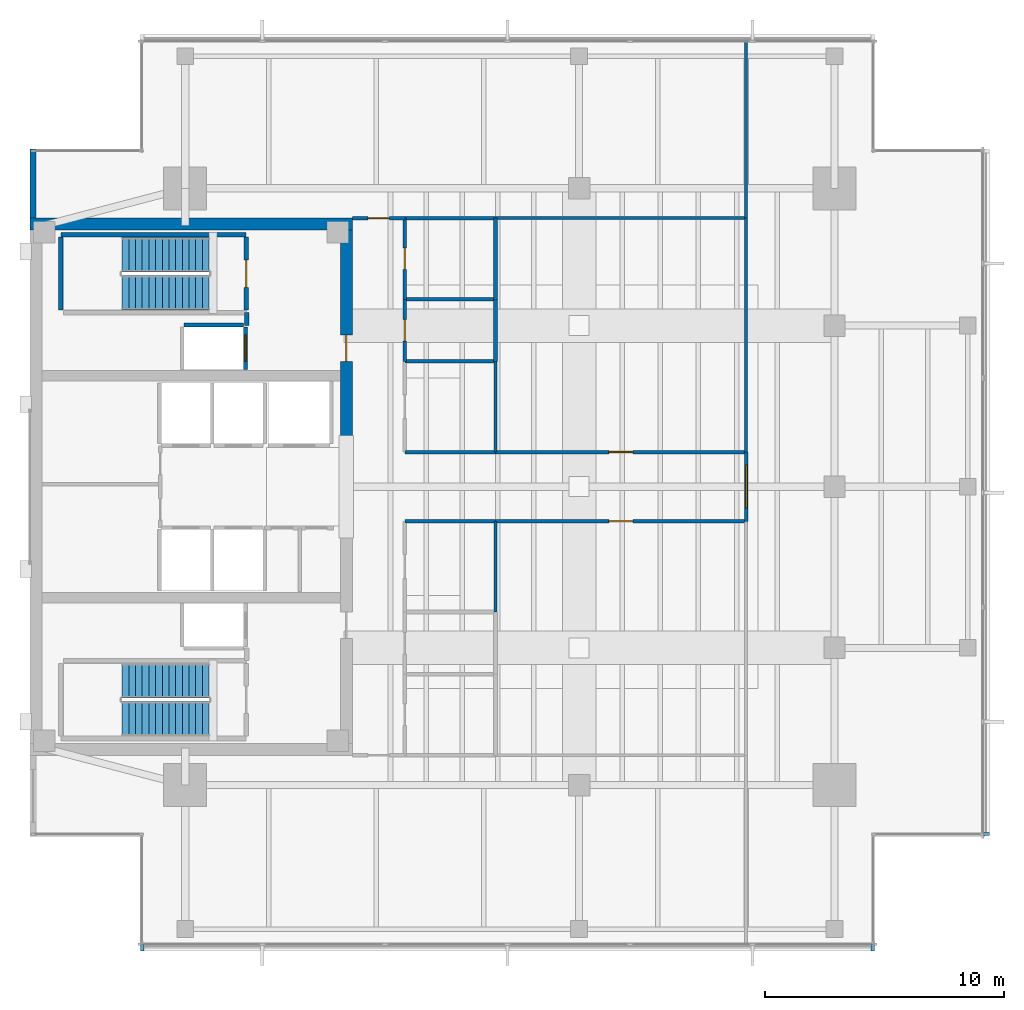
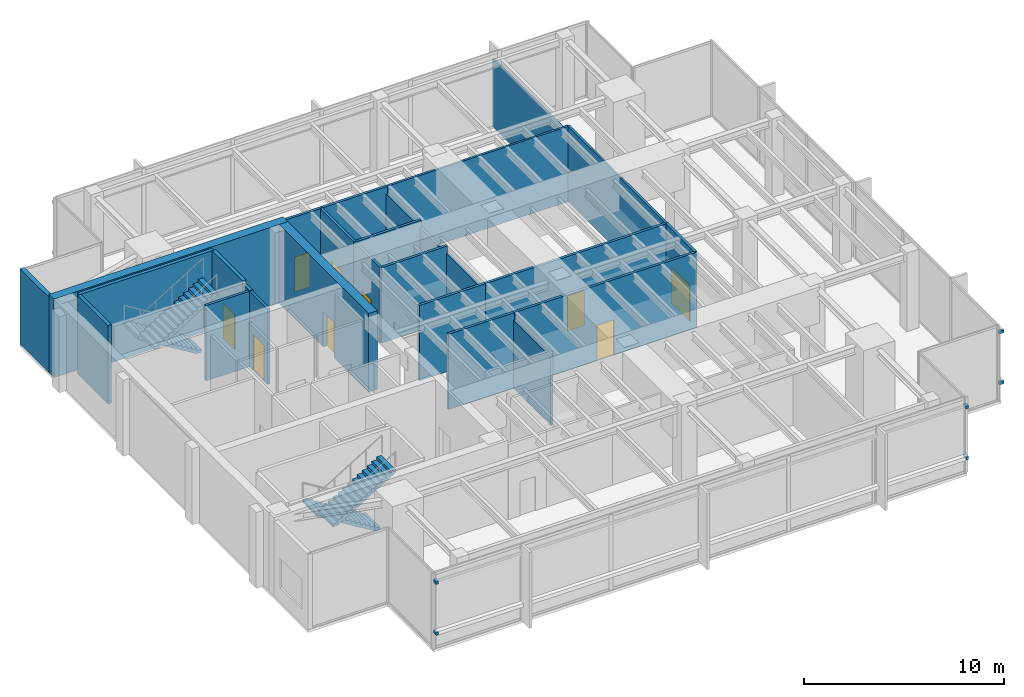
# One storey, part 9 of 14: 27 walls, 9 doors, 6 discrete accessories, 4 stair flights, 9 openings, 2 elements without a shape of their own.
"""IFC4 building model written with IfcOpenShell, lengths in metres."""

from ifc_helpers import new_model, si_unit, direction, frame, frame_2d, origin, origin_2d, place, context, subcontext, project, spatial, polyline, rectangle, outline, extrude, material, layer, layer_set, type_object, element, fill, aggregate, save


model = new_model("IFC4")

# Units and contexts
model_context = context("Model", 3, precision=1e-05, world=origin(), true_north=direction((0.0, 1.0)))
body_context = subcontext(model_context, "Body", "Model", "MODEL_VIEW")
ifc_project = project(units=[si_unit("LENGTHUNIT", "METRE"), si_unit("AREAUNIT", "SQUARE_METRE"), si_unit("VOLUMEUNIT", "CUBIC_METRE"), si_unit("PLANEANGLEUNIT", "RADIAN"), si_unit("MASSUNIT", "GRAM", prefix="KILO")], contexts=[model_context])

# Site, building, storey
site_placement = place(None, origin())
site = spatial("IfcSite", under=ifc_project, at=site_placement, CompositionType="ELEMENT")
building_placement = place(site_placement, origin())
building = spatial("IfcBuilding", under=site, at=building_placement, Name="Kinhvarn Gate Tower", CompositionType="ELEMENT")
storey_placement = place(building_placement, frame((0.0, 0.0, 291.85009765625)))
storey = spatial("IfcBuildingStorey", under=building, at=storey_placement, Name="L78", CompositionType="ELEMENT", Elevation=291.85009765625)

# Wall
ifc_material_1 = material(Name="Concrete C50/60", Category="concrete")
ifc_layer_1 = layer(ifc_material_1, 0.5)
ifc_layer_set_1 = layer_set([ifc_layer_1], Name="Concrete C50/60")
wall_type_1 = type_object("IfcWallType", Name="WL-CORE-500", PredefinedType="SHEAR", material=ifc_layer_set_1)
wall_1_placement = place(storey_placement, frame((4.5, 36.25, 0.0), z_axis=(0.0, 0.0, 1.0), x_axis=(1.0, 0.0, 0.0)))
element("IfcWall", 1, at=wall_1_placement, inside=storey, type_object=wall_type_1, Name="Core North Shear Wall L78 500 mm", PredefinedType="SHEAR", context=body_context, shape_type="SweptSolid", body=[
    extrude(rectangle(XDim=13.5, YDim=0.5, at=frame_2d((6.75, 0.0))), origin(), (0.0, 0.0, 1.0), 4.7998046875),
])

# Wall, opening, door
wall_2_placement = place(storey_placement, frame((17.75, 27.050048828125, 0.0), z_axis=(0.0, 0.0, 1.0), x_axis=(0.0, 1.0, 0.0)))
wall_2 = element("IfcWall", 2, at=wall_2_placement, inside=storey, type_object=wall_type_1, Name="Core East-North Shear Pier L78 500 mm", PredefinedType="SHEAR", context=body_context, shape_type="SweptSolid", body=[
    extrude(rectangle(XDim=8.949951171875, YDim=0.5, at=frame_2d((4.47509765625, 0.0))), origin(), (0.0, 0.0, 1.0), 4.7998046875),
])
opening_1_placement = place(wall_2_placement, frame((3.449951171875, 0.0, 0.0)))
opening_1 = element("IfcOpeningElement", 3, at=opening_1_placement, cuts=wall_2, Name="Opening FD-02", PredefinedType="OPENING", context=body_context, shape_type="SweptSolid", body=[
    extrude(rectangle(XDim=1.10009765625, YDim=2.14990234375, at=frame_2d((0.550048828125, 1.074951171875))), frame((0.0, 0.260009765625, 0.0), z_axis=(0.0, -1.0, 0.0), x_axis=(1.0, 0.0, 0.0)), (0.0, 0.0, 1.0), 0.52001953125),
])
ifc_material_2 = material(Name="Anodised aluminium AW-6063", Category="aluminium")
door_type_1 = type_object("IfcDoorType", Name="DR-FD-1100", OperationType="NOTDEFINED", PredefinedType="DOOR", material=ifc_material_2)
door_1_placement = place(opening_1_placement, origin())
door_1 = element("IfcDoor", 4, at=door_1_placement, inside=storey, type_object=door_type_1, Name="Firefighting Lobby Core Door (L78)", OperationType="SINGLE_SWING_LEFT", OverallHeight=2.14990234375, OverallWidth=1.10009765625, PredefinedType="DOOR", context=body_context, shape_type="SweptSolid", body=[
    extrude(rectangle(XDim=1.10009765625, YDim=2.14990234375, at=frame_2d((0.550048828125, 1.074951171875))), frame((0.0, 0.02490234375, 0.0), z_axis=(0.0, -1.0, 0.0), x_axis=(1.0, 0.0, 0.0)), (0.0, 0.0, 1.0), 0.050048828125),
])
fill(opening_1, door_1)

# Walls
ifc_material_3 = material(Name="Fired architectural terracotta", Category="masonry")
ifc_layer_2 = layer(ifc_material_3, 0.25)
ifc_layer_set_2 = layer_set([ifc_layer_2], Name="Fired architectural terracotta")
wall_type_2 = type_object("IfcWallType", Name="WL-EXT-250", PredefinedType="SOLIDWALL", material=ifc_layer_set_2)
wall_3_placement = place(storey_placement, frame((4.625, 39.39990234375, 0.0), z_axis=(0.0, 0.0, 1.0), x_axis=(0.0, -1.0, 0.0)))
element("IfcWall", 5, at=wall_3_placement, inside=storey, type_object=wall_type_2, Name="Exterior Solidwall Wall EW-250 (L78 West-North)", PredefinedType="SOLIDWALL", context=body_context, shape_type="SweptSolid", body=[
    extrude(rectangle(XDim=2.89990234375, YDim=0.25, at=frame_2d((1.449951171875, 0.0))), origin(), (0.0, 0.0, 1.0), 4.599853515625),
])
ifc_material_4 = material(Name="Gypsum acoustic partition board")
ifc_layer_3 = layer(ifc_material_4, 0.14990234375)
ifc_layer_set_3 = layer_set([ifc_layer_3], Name="Gypsum acoustic partition board")
wall_type_3 = type_object("IfcWallType", Name="WL-PLM-150", PredefinedType="PLUMBINGWALL", material=ifc_layer_set_3)
for number, where, z_axis, x_axis, name in (
    (6, (20.199951171875, 33.10009765625, 0.0), (0.0, 0.0, 1.0), (1.0, 0.0, 0.0), "Interior Partition PLW-150 (L78)"),
    (7, (20.199951171875, 36.5, 0.0), (0.0, 0.0, 1.0), (1.0, 0.0, 0.0), "Interior Partition PLW-150 (L78)"),
):
    element("IfcWall", number, at=place(storey_placement, frame(where, z_axis=z_axis, x_axis=x_axis)), inside=storey, type_object=wall_type_3, Name=name, PredefinedType="PLUMBINGWALL", context=body_context, shape_type="SweptSolid", body=[
        extrude(rectangle(XDim=3.800048828125, YDim=0.14990234375, at=frame_2d((1.89990234375, 0.0))), origin(), (0.0, 0.0, 1.0), 4.599853515625),
    ])
wall_4_placement = place(storey_placement, frame((24.0, 33.10009765625, 0.0), z_axis=(0.0, 0.0, 1.0), x_axis=(0.0, 1.0, 0.0)))
element("IfcWall", 8, at=wall_4_placement, inside=storey, type_object=wall_type_3, Name="Interior Partition PLW-150 (L78)", PredefinedType="PLUMBINGWALL", context=body_context, shape_type="SweptSolid", body=[
    extrude(rectangle(XDim=3.39990234375, YDim=0.14990234375, at=frame_2d((1.699951171875, 0.0))), origin(), (0.0, 0.0, 1.0), 4.14990234375),
])
wall_5_placement = place(storey_placement, frame((24.0, 30.5, 0.0), z_axis=(0.0, 0.0, 1.0), x_axis=(0.0, 1.0, 0.0)))
element("IfcWall", 9, at=wall_5_placement, inside=storey, type_object=wall_type_3, Name="Interior Partition PLW-150 (L78)", PredefinedType="PLUMBINGWALL", context=body_context, shape_type="SweptSolid", body=[
    extrude(rectangle(XDim=2.60009765625, YDim=0.14990234375, at=frame_2d((1.300048828125, 0.0))), origin(), (0.0, 0.0, 1.0), 4.14990234375),
])
wall_6_placement = place(storey_placement, frame((20.199951171875, 30.5, 0.0), z_axis=(0.0, 0.0, 1.0), x_axis=(1.0, 0.0, 0.0)))
element("IfcWall", 10, at=wall_6_placement, inside=storey, type_object=wall_type_3, Name="Interior Partition PLW-150 (L78)", PredefinedType="PLUMBINGWALL", context=body_context, shape_type="SweptSolid", body=[
    extrude(rectangle(XDim=3.800048828125, YDim=0.14990234375, at=frame_2d((1.89990234375, 0.0))), origin(), (0.0, 0.0, 1.0), 4.599853515625),
])

# Wall, opening, door
ifc_layer_4 = layer(ifc_material_4, 0.14990234375)
ifc_layer_set_4 = layer_set([ifc_layer_4], Name="Gypsum acoustic partition board")
wall_type_4 = type_object("IfcWallType", Name="WL-PLM-150F", PredefinedType="PLUMBINGWALL", material=ifc_layer_set_4)
wall_7_placement = place(storey_placement, frame((20.199951171875, 33.10009765625, 0.0), z_axis=(0.0, 0.0, 1.0), x_axis=(0.0, 1.0, 0.0)))
wall_7 = element("IfcWall", 11, at=wall_7_placement, inside=storey, type_object=wall_type_4, Name="Interior Partition PLW-150F (L78)", PredefinedType="PLUMBINGWALL", context=body_context, shape_type="SweptSolid", body=[
    extrude(rectangle(XDim=3.39990234375, YDim=0.14990234375, at=frame_2d((1.699951171875, 0.0))), origin(), (0.0, 0.0, 1.0), 4.599853515625),
])
opening_2_placement = place(wall_7_placement, frame((1.25, 0.0, 0.0)))
opening_2 = element("IfcOpeningElement", 12, at=opening_2_placement, cuts=wall_7, Name="Opening FD-04", PredefinedType="OPENING", context=body_context, shape_type="SweptSolid", body=[
    extrude(rectangle(XDim=0.89990234375, YDim=2.10009765625, at=frame_2d((0.449951171875, 1.050048828125))), frame((0.0, 0.0849609375, 0.0), z_axis=(0.0, -1.0, 0.0), x_axis=(1.0, 0.0, 0.0)), (0.0, 0.0, 1.0), 0.169921875),
])
door_type_2 = type_object("IfcDoorType", Name="DR-FD-900", OperationType="NOTDEFINED", PredefinedType="DOOR", material=ifc_material_2)
door_2_placement = place(opening_2_placement, origin())
door_2 = element("IfcDoor", 13, at=door_2_placement, inside=storey, type_object=door_type_2, Name="Rated Riser & Service Closet Fire Door 900x2100 mm (L78)", OperationType="SINGLE_SWING_RIGHT", OverallHeight=2.10009765625, OverallWidth=0.89990234375, PredefinedType="DOOR", context=body_context, shape_type="SweptSolid", body=[
    extrude(rectangle(XDim=0.89990234375, YDim=2.10009765625, at=frame_2d((0.449951171875, 1.050048828125))), frame((0.0, 0.02490234375, 0.0), z_axis=(0.0, -1.0, 0.0), x_axis=(1.0, 0.0, 0.0)), (0.0, 0.0, 1.0), 0.050048828125),
])
fill(opening_2, door_2)

wall_8_placement = place(storey_placement, frame((20.199951171875, 30.5, 0.0), z_axis=(0.0, 0.0, 1.0), x_axis=(0.0, 1.0, 0.0)))
wall_8 = element("IfcWall", 14, at=wall_8_placement, inside=storey, type_object=wall_type_4, Name="Interior Partition PLW-150F (L78)", PredefinedType="PLUMBINGWALL", context=body_context, shape_type="SweptSolid", body=[
    extrude(rectangle(XDim=2.60009765625, YDim=0.14990234375, at=frame_2d((1.300048828125, 0.0))), origin(), (0.0, 0.0, 1.0), 4.599853515625),
])
opening_3_placement = place(wall_8_placement, frame((0.85009765625, 0.0, 0.0)))
opening_3 = element("IfcOpeningElement", 15, at=opening_3_placement, cuts=wall_8, Name="Opening FD-04", PredefinedType="OPENING", context=body_context, shape_type="SweptSolid", body=[
    extrude(rectangle(XDim=0.89990234375, YDim=2.10009765625, at=frame_2d((0.449951171875, 1.050048828125))), frame((0.0, 0.0849609375, 0.0), z_axis=(0.0, -1.0, 0.0), x_axis=(1.0, 0.0, 0.0)), (0.0, 0.0, 1.0), 0.169921875),
])
door_3_placement = place(opening_3_placement, origin())
door_3 = element("IfcDoor", 16, at=door_3_placement, inside=storey, type_object=door_type_2, Name="Rated Riser & Service Closet Fire Door 900x2100 mm (L78)", OperationType="SINGLE_SWING_RIGHT", OverallHeight=2.10009765625, OverallWidth=0.89990234375, PredefinedType="DOOR", context=body_context, shape_type="SweptSolid", body=[
    extrude(rectangle(XDim=0.89990234375, YDim=2.10009765625, at=frame_2d((0.449951171875, 1.050048828125))), frame((0.0, 0.02490234375, 0.0), z_axis=(0.0, -1.0, 0.0), x_axis=(1.0, 0.0, 0.0)), (0.0, 0.0, 1.0), 0.050048828125),
])
fill(opening_3, door_3)

# Walls
ifc_layer_5 = layer(ifc_material_4, 0.1201171875)
ifc_layer_set_5 = layer_set([ifc_layer_5], Name="Gypsum acoustic partition board")
wall_type_5 = type_object("IfcWallType", Name="WL-PRT-120", PredefinedType="PARTITIONING", material=ifc_layer_set_5)
wall_9_placement = place(storey_placement, frame((24.0, 36.5, 0.0), z_axis=(0.0, 0.0, 1.0), x_axis=(1.0, 0.0, 0.0)))
element("IfcWall", 17, at=wall_9_placement, inside=storey, type_object=wall_type_5, Name="Interior Partition PW-120 (L78)", PredefinedType="PARTITIONING", context=body_context, shape_type="SweptSolid", body=[
    extrude(rectangle(XDim=10.5, YDim=0.1201171875, at=frame_2d((5.25, 0.0))), origin(), (0.0, 0.0, 1.0), 4.599853515625),
])
wall_10_placement = place(storey_placement, frame((34.5, 36.5, 0.0), z_axis=(0.0, 0.0, 1.0), x_axis=(0.0, 1.0, 0.0)))
element("IfcWall", 18, at=wall_10_placement, inside=storey, type_object=wall_type_5, Name="Interior Partition PW-120 (L78)", PredefinedType="PARTITIONING", context=body_context, shape_type="SweptSolid", body=[
    extrude(rectangle(XDim=7.489990234375, YDim=0.1201171875, at=frame_2d((3.7451171875, 0.0))), origin(), (0.0, 0.0, 1.0), 4.14990234375),
])
wall_11_placement = place(storey_placement, frame((24.0, 20.0, 0.0), z_axis=(0.0, 0.0, 1.0), x_axis=(0.0, 1.0, 0.0)))
element("IfcWall", 19, at=wall_11_placement, inside=storey, type_object=wall_type_5, Name="Interior Partition PW-120 (L78)", PredefinedType="PARTITIONING", context=body_context, shape_type="SweptSolid", body=[
    extrude(rectangle(XDim=3.800048828125, YDim=0.1201171875, at=frame_2d((1.89990234375, 0.0))), origin(), (0.0, 0.0, 1.0), 4.14990234375),
])
wall_12_placement = place(storey_placement, frame((34.5, 26.699951171875, 0.0), z_axis=(0.0, 0.0, 1.0), x_axis=(0.0, 1.0, 0.0)))
element("IfcWall", 20, at=wall_12_placement, inside=storey, type_object=wall_type_5, Name="Interior Partition PW-120 (L78)", PredefinedType="PARTITIONING", context=body_context, shape_type="SweptSolid", body=[
    extrude(rectangle(XDim=9.800048828125, YDim=0.1201171875, at=frame_2d((4.89990234375, 0.0))), origin(), (0.0, 0.0, 1.0), 4.599853515625),
])
wall_13_placement = place(storey_placement, frame((24.0, 26.699951171875, 0.0), z_axis=(0.0, 0.0, 1.0), x_axis=(0.0, 1.0, 0.0)))
element("IfcWall", 21, at=wall_13_placement, inside=storey, type_object=wall_type_5, Name="Interior Partition PW-120 (L78)", PredefinedType="PARTITIONING", context=body_context, shape_type="SweptSolid", body=[
    extrude(rectangle(XDim=3.800048828125, YDim=0.1201171875, at=frame_2d((1.89990234375, 0.0))), origin(), (0.0, 0.0, 1.0), 4.14990234375),
])

# Wall, opening, door
ifc_layer_6 = layer(ifc_material_4, 0.14990234375)
ifc_layer_set_6 = layer_set([ifc_layer_6], Name="Gypsum acoustic partition board")
wall_type_6 = type_object("IfcWallType", Name="WL-PRT-150F", PredefinedType="PARTITIONING", material=ifc_layer_set_6)
wall_14_placement = place(storey_placement, frame((18.0, 36.5, 0.0), z_axis=(0.0, 0.0, 1.0), x_axis=(1.0, 0.0, 0.0)))
wall_14 = element("IfcWall", 22, at=wall_14_placement, inside=storey, type_object=wall_type_6, Name="Interior Partition PW-150F (L78)", PredefinedType="PARTITIONING", context=body_context, shape_type="SweptSolid", body=[
    extrude(rectangle(XDim=2.199951171875, YDim=0.14990234375, at=frame_2d((1.10009765625, 0.0))), origin(), (0.0, 0.0, 1.0), 4.599853515625),
])
opening_4_placement = place(wall_14_placement, frame((0.64990234375, 0.0, 0.0)))
opening_4 = element("IfcOpeningElement", 23, at=opening_4_placement, cuts=wall_14, Name="Opening ID-03", PredefinedType="OPENING", context=body_context, shape_type="SweptSolid", body=[
    extrude(rectangle(XDim=0.89990234375, YDim=2.10009765625, at=frame_2d((0.449951171875, 1.050048828125))), frame((0.0, 0.0849609375, 0.0), z_axis=(0.0, -1.0, 0.0), x_axis=(1.0, 0.0, 0.0)), (0.0, 0.0, 1.0), 0.169921875),
])
door_type_3 = type_object("IfcDoorType", Name="DR-INT-900", OperationType="NOTDEFINED", PredefinedType="DOOR", material=ifc_material_2)
door_4_placement = place(opening_4_placement, origin())
door_4 = element("IfcDoor", 24, at=door_4_placement, inside=storey, type_object=door_type_3, Name="Cellular Office & Restroom Door 900x2100 mm (L78)", OperationType="SINGLE_SWING_RIGHT", OverallHeight=2.10009765625, OverallWidth=0.89990234375, PredefinedType="DOOR", context=body_context, shape_type="SweptSolid", body=[
    extrude(rectangle(XDim=0.89990234375, YDim=2.10009765625, at=frame_2d((0.449951171875, 1.050048828125))), frame((0.0, 0.02490234375, 0.0), z_axis=(0.0, -1.0, 0.0), x_axis=(1.0, 0.0, 0.0)), (0.0, 0.0, 1.0), 0.050048828125),
])
fill(opening_4, door_4)

wall_15_placement = place(storey_placement, frame((24.0, 23.800048828125, 0.0), z_axis=(0.0, 0.0, 1.0), x_axis=(1.0, 0.0, 0.0)))
wall_15 = element("IfcWall", 25, at=wall_15_placement, inside=storey, type_object=wall_type_6, Name="Interior Partition PW-150F (L78)", PredefinedType="PARTITIONING", context=body_context, shape_type="SweptSolid", body=[
    extrude(rectangle(XDim=10.5, YDim=0.14990234375, at=frame_2d((5.25, 0.0))), origin(), (0.0, 0.0, 1.0), 4.599853515625),
])
opening_5_placement = place(wall_15_placement, frame((4.75, 0.0, 0.0)))
opening_5 = element("IfcOpeningElement", 26, at=opening_5_placement, cuts=wall_15, Name="Opening ID-02", PredefinedType="OPENING", context=body_context, shape_type="SweptSolid", body=[
    extrude(rectangle(XDim=1.0, YDim=2.14990234375, at=frame_2d((0.5, 1.074951171875))), frame((0.0, 0.0849609375, 0.0), z_axis=(0.0, -1.0, 0.0), x_axis=(1.0, 0.0, 0.0)), (0.0, 0.0, 1.0), 0.169921875),
])
door_type_4 = type_object("IfcDoorType", Name="DR-INT-1000", OperationType="NOTDEFINED", PredefinedType="DOOR", material=ifc_material_2)
door_5_placement = place(opening_5_placement, origin())
door_5 = element("IfcDoor", 27, at=door_5_placement, inside=storey, type_object=door_type_4, Name="Standard Office & Meeting Room Door 1000x2150 mm (L78)", OperationType="SINGLE_SWING_LEFT", OverallHeight=2.14990234375, OverallWidth=1.0, PredefinedType="DOOR", context=body_context, shape_type="SweptSolid", body=[
    extrude(rectangle(XDim=1.0, YDim=2.14990234375, at=frame_2d((0.5, 1.074951171875))), frame((0.0, 0.02490234375, 0.0), z_axis=(0.0, -1.0, 0.0), x_axis=(1.0, 0.0, 0.0)), (0.0, 0.0, 1.0), 0.050048828125),
])
fill(opening_5, door_5)

wall_16_placement = place(storey_placement, frame((24.0, 26.699951171875, 0.0), z_axis=(0.0, 0.0, 1.0), x_axis=(1.0, 0.0, 0.0)))
wall_16 = element("IfcWall", 28, at=wall_16_placement, inside=storey, type_object=wall_type_6, Name="Interior Partition PW-150F (L78)", PredefinedType="PARTITIONING", context=body_context, shape_type="SweptSolid", body=[
    extrude(rectangle(XDim=10.5, YDim=0.14990234375, at=frame_2d((5.25, 0.0))), origin(), (0.0, 0.0, 1.0), 4.599853515625),
])
opening_6_placement = place(wall_16_placement, frame((4.75, 0.0, 0.0)))
opening_6 = element("IfcOpeningElement", 29, at=opening_6_placement, cuts=wall_16, Name="Opening ID-02", PredefinedType="OPENING", context=body_context, shape_type="SweptSolid", body=[
    extrude(rectangle(XDim=1.0, YDim=2.14990234375, at=frame_2d((0.5, 1.074951171875))), frame((0.0, 0.0849609375, 0.0), z_axis=(0.0, -1.0, 0.0), x_axis=(1.0, 0.0, 0.0)), (0.0, 0.0, 1.0), 0.169921875),
])
door_6_placement = place(opening_6_placement, origin())
door_6 = element("IfcDoor", 30, at=door_6_placement, inside=storey, type_object=door_type_4, Name="Standard Office & Meeting Room Door 1000x2150 mm (L78)", OperationType="SINGLE_SWING_RIGHT", OverallHeight=2.14990234375, OverallWidth=1.0, PredefinedType="DOOR", context=body_context, shape_type="SweptSolid", body=[
    extrude(rectangle(XDim=1.0, YDim=2.14990234375, at=frame_2d((0.5, 1.074951171875))), frame((0.0, 0.02490234375, 0.0), z_axis=(0.0, -1.0, 0.0), x_axis=(1.0, 0.0, 0.0)), (0.0, 0.0, 1.0), 0.050048828125),
])
fill(opening_6, door_6)

wall_17_placement = place(storey_placement, frame((34.5, 23.800048828125, 0.0), z_axis=(0.0, 0.0, 1.0), x_axis=(0.0, 1.0, 0.0)))
wall_17 = element("IfcWall", 31, at=wall_17_placement, inside=storey, type_object=wall_type_6, Name="Interior Partition PW-150F (L78)", PredefinedType="PARTITIONING", context=body_context, shape_type="SweptSolid", body=[
    extrude(rectangle(XDim=2.89990234375, YDim=0.14990234375, at=frame_2d((1.449951171875, 0.0))), origin(), (0.0, 0.0, 1.0), 4.599853515625),
])
opening_7_placement = place(wall_17_placement, frame((0.550048828125, 0.0, 0.0)))
opening_7 = element("IfcOpeningElement", 32, at=opening_7_placement, cuts=wall_17, Name="Opening ID-04", PredefinedType="OPENING", context=body_context, shape_type="SweptSolid", body=[
    extrude(rectangle(XDim=1.800048828125, YDim=2.199951171875, at=frame_2d((0.89990234375, 1.10009765625))), frame((0.0, 0.0849609375, 0.0), z_axis=(0.0, -1.0, 0.0), x_axis=(1.0, 0.0, 0.0)), (0.0, 0.0, 1.0), 0.169921875),
])
ifc_material_5 = material(Name="Clear low-e double glazing", Category="glass")
door_type_5 = type_object("IfcDoorType", Name="DR-GLZ-1800", OperationType="NOTDEFINED", PredefinedType="DOOR", material=ifc_material_5)
door_7_placement = place(opening_7_placement, origin())
door_7 = element("IfcDoor", 33, at=door_7_placement, inside=storey, type_object=door_type_5, Name="Double Glazed Forum & Sky-Lobby Door 1800x2200 mm (L78)", OperationType="DOUBLE_DOOR_SINGLE_SWING", OverallHeight=2.199951171875, OverallWidth=1.800048828125, PredefinedType="DOOR", context=body_context, shape_type="SweptSolid", body=[
    extrude(rectangle(XDim=1.800048828125, YDim=2.199951171875, at=frame_2d((0.89990234375, 1.10009765625))), frame((0.0, 0.02490234375, 0.0), z_axis=(0.0, -1.0, 0.0), x_axis=(1.0, 0.0, 0.0)), (0.0, 0.0, 1.0), 0.050048828125),
])
fill(opening_7, door_7)

# Walls
for number, where, z_axis, x_axis, name in (
    (34, (20.199951171875, 23.800048828125, 0.0), (0.0, 0.0, 1.0), (1.0, 0.0, 0.0), "Interior Partition PW-150F (L78)"),
    (35, (20.199951171875, 26.699951171875, 0.0), (0.0, 0.0, 1.0), (1.0, 0.0, 0.0), "Interior Partition PW-150F (L78)"),
):
    element("IfcWall", number, at=place(storey_placement, frame(where, z_axis=z_axis, x_axis=x_axis)), inside=storey, type_object=wall_type_6, Name=name, PredefinedType="PARTITIONING", context=body_context, shape_type="SweptSolid", body=[
        extrude(rectangle(XDim=3.800048828125, YDim=0.14990234375, at=frame_2d((1.89990234375, 0.0))), origin(), (0.0, 0.0, 1.0), 4.599853515625),
    ])
ifc_layer_7 = layer(ifc_material_4, 0.199951171875)
ifc_layer_set_7 = layer_set([ifc_layer_7], Name="Gypsum acoustic partition board")
wall_type_7 = type_object("IfcWallType", Name="WL-PRT-200", PredefinedType="PARTITIONING", material=ifc_layer_set_7)
wall_18_placement = place(storey_placement, frame((13.580078125, 32.0, 0.0), z_axis=(0.0, 0.0, 1.0), x_axis=(0.0, 1.0, 0.0)))
element("IfcWall", 36, at=wall_18_placement, inside=storey, type_object=wall_type_7, Name="Interior Partition PW-200 (L78)", PredefinedType="PARTITIONING", context=body_context, shape_type="SweptSolid", body=[
    extrude(rectangle(XDim=0.5400390625, YDim=0.199951171875, at=frame_2d((0.27001953125, 0.0))), origin(), (0.0, 0.0, 1.0), 4.599853515625),
])
ifc_layer_8 = layer(ifc_material_4, 0.14990234375)
ifc_layer_set_8 = layer_set([ifc_layer_8], Name="Gypsum acoustic partition board")
wall_type_8 = type_object("IfcWallType", Name="WL-SHF-150", PredefinedType="PARTITIONING", material=ifc_layer_set_8)
wall_19_placement = place(storey_placement, frame((10.949951171875, 32.02490234375, 0.0), z_axis=(0.0, 0.0, 1.0), x_axis=(1.0, 0.0, 0.0)))
element("IfcWall", 37, at=wall_19_placement, inside=storey, type_object=wall_type_8, Name="Elevator FF2 Hoistway Wall N (L78)", PredefinedType="PARTITIONING", context=body_context, shape_type="SweptSolid", body=[
    extrude(rectangle(XDim=2.5, YDim=0.14990234375, at=frame_2d((1.25, 0.0))), origin(), (0.0, 0.0, 1.0), 4.599853515625),
])

# Wall, opening, door
wall_20_placement = place(storey_placement, frame((13.52490234375, 30.14990234375, 0.0), z_axis=(0.0, 0.0, 1.0), x_axis=(0.0, 1.0, 0.0)))
wall_20 = element("IfcWall", 38, at=wall_20_placement, inside=storey, type_object=wall_type_8, Name="Elevator FF2 Landing Wall (L78)", PredefinedType="PARTITIONING", context=body_context, shape_type="SweptSolid", body=[
    extrude(rectangle(XDim=1.800048828125, YDim=0.14990234375, at=frame_2d((0.89990234375, 0.0))), origin(), (0.0, 0.0, 1.0), 4.599853515625),
])
opening_8_placement = place(wall_20_placement, frame((0.35009765625, 0.0, 0.0)))
opening_8 = element("IfcOpeningElement", 39, at=opening_8_placement, cuts=wall_20, Name="Opening LD-03", PredefinedType="OPENING", context=body_context, shape_type="SweptSolid", body=[
    extrude(rectangle(XDim=1.10009765625, YDim=2.199951171875, at=frame_2d((0.550048828125, 1.10009765625))), frame((0.0, 0.0849609375, 0.0), z_axis=(0.0, -1.0, 0.0), x_axis=(1.0, 0.0, 0.0)), (0.0, 0.0, 1.0), 0.169921875),
])
door_type_6 = type_object("IfcDoorType", Name="DR-LND-FF", OperationType="NOTDEFINED", PredefinedType="DOOR", material=ifc_material_2)
door_8_placement = place(opening_8_placement, origin())
door_8 = element("IfcDoor", 40, at=door_8_placement, inside=storey, type_object=door_type_6, Name="Elevator FF2 Sliding Landing Door (L78)", OperationType="DOUBLE_DOOR_SLIDING", OverallHeight=2.199951171875, OverallWidth=1.10009765625, PredefinedType="DOOR", context=body_context, shape_type="SweptSolid", body=[
    extrude(rectangle(XDim=1.10009765625, YDim=2.199951171875, at=frame_2d((0.550048828125, 1.10009765625))), frame((0.0, 0.02490234375, 0.0), z_axis=(0.0, -1.0, 0.0), x_axis=(1.0, 0.0, 0.0)), (0.0, 0.0, 1.0), 0.050048828125),
])
fill(opening_8, door_8)

# Walls
ifc_material_6 = material(Name="Concrete C40/50", Category="concrete")
ifc_layer_9 = layer(ifc_material_6, 0.199951171875)
ifc_layer_set_9 = layer_set([ifc_layer_9], Name="Concrete C40/50")
wall_type_9 = type_object("IfcWallType", Name="WL-SHF-200", PredefinedType="SOLIDWALL", material=ifc_layer_set_9)
wall_21_placement = place(storey_placement, frame((5.800048828125, 35.800048828125, 0.0), z_axis=(0.0, 0.0, 1.0), x_axis=(1.0, 0.0, 0.0)))
element("IfcWall", 41, at=wall_21_placement, inside=storey, type_object=wall_type_9, Name="Stair ST2 North Shaft Wall (L78)", PredefinedType="SOLIDWALL", context=body_context, shape_type="SweptSolid", body=[
    extrude(rectangle(XDim=7.75, YDim=0.199951171875, at=frame_2d((3.875, 0.0))), origin(), (0.0, 0.0, 1.0), 4.7998046875),
])
wall_22_placement = place(storey_placement, frame((5.7900390625, 32.64990234375, 0.0), z_axis=(0.0, 0.0, 1.0), x_axis=(0.0, 1.0, 0.0)))
element("IfcWall", 42, at=wall_22_placement, inside=storey, type_object=wall_type_9, Name="Stair ST2 West Shaft Wall (L78)", PredefinedType="SOLIDWALL", context=body_context, shape_type="SweptSolid", body=[
    extrude(rectangle(XDim=3.050048828125, YDim=0.199951171875, at=frame_2d((1.52490234375, 0.0))), origin(), (0.0, 0.0, 1.0), 4.7998046875),
])

# Wall, opening, door
wall_23_placement = place(storey_placement, frame((13.56005859375, 32.64990234375, 0.0), z_axis=(0.0, 0.0, 1.0), x_axis=(0.0, 1.0, 0.0)))
wall_23 = element("IfcWall", 43, at=wall_23_placement, inside=storey, type_object=wall_type_9, Name="Stair ST2 East Entry Wall (L78)", PredefinedType="SOLIDWALL", context=body_context, shape_type="SweptSolid", body=[
    extrude(rectangle(XDim=3.050048828125, YDim=0.199951171875, at=frame_2d((1.52490234375, 0.0))), origin(), (0.0, 0.0, 1.0), 4.7998046875),
])
opening_9_placement = place(wall_23_placement, frame((0.949951171875, 0.0, 0.0)))
opening_9 = element("IfcOpeningElement", 44, at=opening_9_placement, cuts=wall_23, Name="Opening FD-01", PredefinedType="OPENING", context=body_context, shape_type="SweptSolid", body=[
    extrude(rectangle(XDim=1.14990234375, YDim=2.14990234375, at=frame_2d((0.574951171875, 1.074951171875))), frame((0.0, 0.10986328125, 0.0), z_axis=(0.0, -1.0, 0.0), x_axis=(1.0, 0.0, 0.0)), (0.0, 0.0, 1.0), 0.219970703125),
])
door_type_7 = type_object("IfcDoorType", Name="DR-ST-1150", OperationType="NOTDEFINED", PredefinedType="DOOR", material=ifc_material_2)
door_9_placement = place(opening_9_placement, origin())
door_9 = element("IfcDoor", 45, at=door_9_placement, inside=storey, type_object=door_type_7, Name="Exit Stair ST2 Fire Door (L78)", OperationType="SINGLE_SWING_LEFT", OverallHeight=2.14990234375, OverallWidth=1.14990234375, PredefinedType="DOOR", context=body_context, shape_type="SweptSolid", body=[
    extrude(rectangle(XDim=1.14990234375, YDim=2.14990234375, at=frame_2d((0.574951171875, 1.074951171875))), frame((0.0, 0.02490234375, 0.0), z_axis=(0.0, -1.0, 0.0), x_axis=(1.0, 0.0, 0.0)), (0.0, 0.0, 1.0), 0.050048828125),
])
fill(opening_9, door_9)

# Stair, stair flights
stair_type = type_object("IfcStairType", Name="STR-DLG-171", PredefinedType="HALF_TURN_STAIR", material=ifc_material_6)
stair_1_placement = place(storey_placement, origin())
stair_1 = element("IfcStair", 46, at=stair_1_placement, inside=storey, type_object=stair_type, Name="L78 Core Smokeproof Exit Stair ST1", PredefinedType="HALF_TURN_STAIR")
stair_flight_type = type_object("IfcStairFlightType", Name="STF-DLG-171", PredefinedType="STRAIGHT", material=ifc_material_6)
stair_flight_1_placement = place(storey_placement, frame((12.0, 17.125, 0.0), z_axis=(0.0, 0.0, 1.0), x_axis=(-1.0, 0.0, 0.0)))
stair_flight_1 = element("IfcStairFlight", 47, at=stair_flight_1_placement, type_object=stair_flight_type, Name="ST1 flight 1", NumberOfRisers=14, NumberOfTreads=13, PredefinedType="STRAIGHT", RiserHeight=0.171428571, TreadLength=0.28, context=body_context, shape_type="SweptSolid", body=[
    extrude(outline(polyline([(0.0, 0.0), (0.0, 0.17138671875), (0.280029296875, 0.17138671875), (0.280029296875, 0.3427734375), (0.56005859375, 0.3427734375), (0.56005859375, 0.514404296875), (0.840087890625, 0.514404296875), (0.840087890625, 0.685791015625), (1.1201171875, 0.685791015625), (1.1201171875, 0.857177734375), (1.39990234375, 0.857177734375), (1.39990234375, 1.028564453125), (1.679931640625, 1.028564453125), (1.679931640625, 1.199951171875), (1.9599609375, 1.199951171875), (1.9599609375, 1.371337890625), (2.239990234375, 1.371337890625), (2.239990234375, 1.54296875), (2.52001953125, 1.54296875), (2.52001953125, 1.71435546875), (2.800048828125, 1.71435546875), (2.800048828125, 1.8857421875), (3.080078125, 1.8857421875), (3.080078125, 2.05712890625), (3.360107421875, 2.05712890625), (3.360107421875, 2.228515625), (3.639892578125, 2.228515625), (3.639892578125, 2.39990234375), (3.639892578125, 2.052734375), (0.287109375, 0.0), (0.0, 0.0)])), frame((0.0, 0.72509765625, 0.0), z_axis=(0.0, -1.0, 0.0), x_axis=(1.0, 0.0, 0.0)), (0.0, 0.0, 1.0), 1.449951171875),
])
stair_flight_2_placement = place(storey_placement, frame((8.360107421875, 15.52490234375, 2.39990234375), z_axis=(0.0, 0.0, 1.0), x_axis=(1.0, 0.0, 0.0)))
stair_flight_2 = element("IfcStairFlight", 48, at=stair_flight_2_placement, type_object=stair_flight_type, Name="ST1 flight 2", NumberOfRisers=14, NumberOfTreads=13, PredefinedType="STRAIGHT", RiserHeight=0.171428571, TreadLength=0.28, context=body_context, shape_type="SweptSolid", body=[
    extrude(outline(polyline([(0.0, 0.0), (0.0, 0.17138671875), (0.280029296875, 0.17138671875), (0.280029296875, 0.3427734375), (0.56005859375, 0.3427734375), (0.56005859375, 0.514404296875), (0.840087890625, 0.514404296875), (0.840087890625, 0.685791015625), (1.1201171875, 0.685791015625), (1.1201171875, 0.857177734375), (1.39990234375, 0.857177734375), (1.39990234375, 1.028564453125), (1.679931640625, 1.028564453125), (1.679931640625, 1.199951171875), (1.9599609375, 1.199951171875), (1.9599609375, 1.371337890625), (2.239990234375, 1.371337890625), (2.239990234375, 1.54296875), (2.52001953125, 1.54296875), (2.52001953125, 1.71435546875), (2.800048828125, 1.71435546875), (2.800048828125, 1.8857421875), (3.080078125, 1.8857421875), (3.080078125, 2.05712890625), (3.360107421875, 2.05712890625), (3.360107421875, 2.228515625), (3.639892578125, 2.228515625), (3.639892578125, 2.39990234375), (3.639892578125, 2.052734375), (0.287109375, 0.0), (0.0, 0.0)])), frame((0.0, 0.72509765625, 0.0), z_axis=(0.0, -1.0, 0.0), x_axis=(1.0, 0.0, 0.0)), (0.0, 0.0, 1.0), 1.449951171875),
])
aggregate(stair_1, [stair_flight_1, stair_flight_2])

stair_2_placement = place(storey_placement, origin())
stair_2 = element("IfcStair", 49, at=stair_2_placement, inside=storey, type_object=stair_type, Name="L78 Core Smokeproof Exit Stair ST2", PredefinedType="HALF_TURN_STAIR")
stair_flight_3_placement = place(storey_placement, frame((12.0, 34.97509765625, 0.0), z_axis=(0.0, 0.0, 1.0), x_axis=(-1.0, 0.0, 0.0)))
stair_flight_3 = element("IfcStairFlight", 50, at=stair_flight_3_placement, type_object=stair_flight_type, Name="ST2 flight 1", NumberOfRisers=14, NumberOfTreads=13, PredefinedType="STRAIGHT", RiserHeight=0.171428571, TreadLength=0.28, context=body_context, shape_type="SweptSolid", body=[
    extrude(outline(polyline([(0.0, 0.0), (0.0, 0.17138671875), (0.280029296875, 0.17138671875), (0.280029296875, 0.3427734375), (0.56005859375, 0.3427734375), (0.56005859375, 0.514404296875), (0.840087890625, 0.514404296875), (0.840087890625, 0.685791015625), (1.1201171875, 0.685791015625), (1.1201171875, 0.857177734375), (1.39990234375, 0.857177734375), (1.39990234375, 1.028564453125), (1.679931640625, 1.028564453125), (1.679931640625, 1.199951171875), (1.9599609375, 1.199951171875), (1.9599609375, 1.371337890625), (2.239990234375, 1.371337890625), (2.239990234375, 1.54296875), (2.52001953125, 1.54296875), (2.52001953125, 1.71435546875), (2.800048828125, 1.71435546875), (2.800048828125, 1.8857421875), (3.080078125, 1.8857421875), (3.080078125, 2.05712890625), (3.360107421875, 2.05712890625), (3.360107421875, 2.228515625), (3.639892578125, 2.228515625), (3.639892578125, 2.39990234375), (3.639892578125, 2.052734375), (0.287109375, 0.0), (0.0, 0.0)])), frame((0.0, 0.72509765625, 0.0), z_axis=(0.0, -1.0, 0.0), x_axis=(1.0, 0.0, 0.0)), (0.0, 0.0, 1.0), 1.449951171875),
])
stair_flight_4_placement = place(storey_placement, frame((8.360107421875, 33.375, 2.39990234375), z_axis=(0.0, 0.0, 1.0), x_axis=(1.0, 0.0, 0.0)))
stair_flight_4 = element("IfcStairFlight", 51, at=stair_flight_4_placement, type_object=stair_flight_type, Name="ST2 flight 2", NumberOfRisers=14, NumberOfTreads=13, PredefinedType="STRAIGHT", RiserHeight=0.171428571, TreadLength=0.28, context=body_context, shape_type="SweptSolid", body=[
    extrude(outline(polyline([(0.0, 0.0), (0.0, 0.17138671875), (0.280029296875, 0.17138671875), (0.280029296875, 0.3427734375), (0.56005859375, 0.3427734375), (0.56005859375, 0.514404296875), (0.840087890625, 0.514404296875), (0.840087890625, 0.685791015625), (1.1201171875, 0.685791015625), (1.1201171875, 0.857177734375), (1.39990234375, 0.857177734375), (1.39990234375, 1.028564453125), (1.679931640625, 1.028564453125), (1.679931640625, 1.199951171875), (1.9599609375, 1.199951171875), (1.9599609375, 1.371337890625), (2.239990234375, 1.371337890625), (2.239990234375, 1.54296875), (2.52001953125, 1.54296875), (2.52001953125, 1.71435546875), (2.800048828125, 1.71435546875), (2.800048828125, 1.8857421875), (3.080078125, 1.8857421875), (3.080078125, 2.05712890625), (3.360107421875, 2.05712890625), (3.360107421875, 2.228515625), (3.639892578125, 2.228515625), (3.639892578125, 2.39990234375), (3.639892578125, 2.052734375), (0.287109375, 0.0), (0.0, 0.0)])), frame((0.0, 0.72509765625, 0.0), z_axis=(0.0, -1.0, 0.0), x_axis=(1.0, 0.0, 0.0)), (0.0, 0.0, 1.0), 1.449951171875),
])
aggregate(stair_2, [stair_flight_3, stair_flight_4])

# Discrete accessories
discrete_accessory_type = type_object("IfcDiscreteAccessoryType", Name="ACC-BRK-01", PredefinedType="BRACKET", material=ifc_material_2)
for number, where, z_axis, x_axis, name in (
    (52, (9.199951171875, 5.93994140625, 0.9599609375), (0.0, 0.0, 1.0), (1.0, 0.0, 0.0), "Baguette Support Bracket BK-01 (L78)"),
    (53, (9.199951171875, 5.93994140625, 4.06005859375), (0.0, 0.0, 1.0), (1.0, 0.0, 0.0), "Baguette Support Bracket BK-01 (L78)"),
    (54, (39.800048828125, 5.93994140625, 0.9599609375), (0.0, 0.0, 1.0), (1.0, 0.0, 0.0), "Baguette Support Bracket BK-01 (L78)"),
    (55, (39.800048828125, 5.93994140625, 4.06005859375), (0.0, 0.0, 1.0), (1.0, 0.0, 0.0), "Baguette Support Bracket BK-01 (L78)"),
    (56, (44.56005859375, 10.699951171875, 0.9599609375), (0.0, 0.0, 1.0), (0.0, 1.0, 0.0), "Baguette Support Bracket BK-01 (L78)"),
    (57, (44.56005859375, 10.699951171875, 4.06005859375), (0.0, 0.0, 1.0), (0.0, 1.0, 0.0), "Baguette Support Bracket BK-01 (L78)"),
):
    element("IfcDiscreteAccessory", number, at=place(storey_placement, frame(where, z_axis=z_axis, x_axis=x_axis)), inside=storey, type_object=discrete_accessory_type, Name=name, PredefinedType="BRACKET", context=body_context, shape_type="SweptSolid", body=[
        extrude(rectangle(XDim=0.139892578125, YDim=0.280029296875, at=origin_2d()), origin(), (0.0, 0.0, 1.0), 0.179931640625),
    ])

save(model, "model.ifc")
